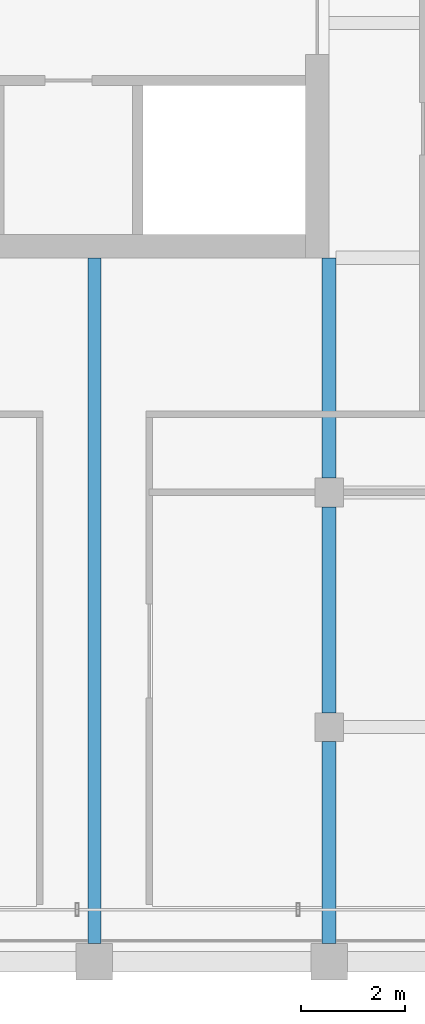
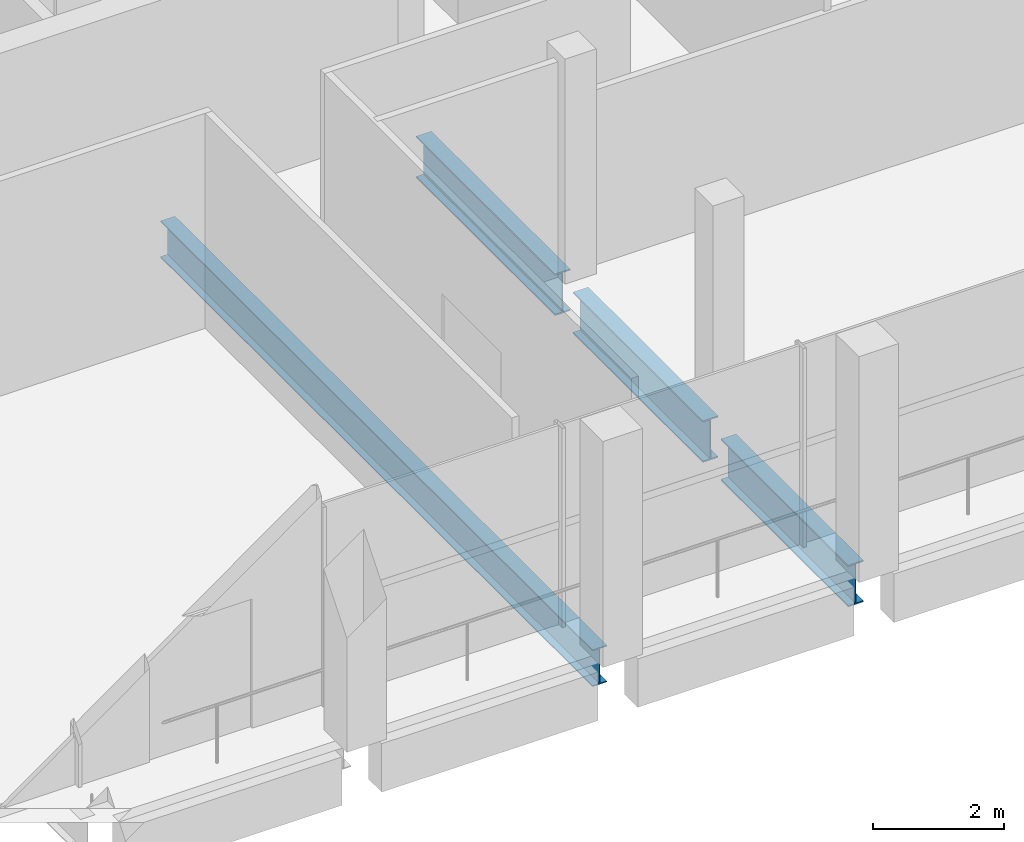
# One storey, part 6 of 17: 4 beams.
"""IFC4 building model written with IfcOpenShell, lengths in metres."""

import ifcopenshell
import ifcopenshell.guid

model = None  # the IFC model being written
_history = None  # IfcOwnerHistory: only IFC2X3 demands one
_inside = {}  # id of a spatial element -> (the spatial element, [elements in it])
_under = {}  # id of a project, library or spatial element -> (it, [spatial elements below it])
_declared = {}  # id of a project -> (the project, [libraries it declares])
_typed = {}  # id of a type object -> (the type object, [elements of that type])
_made_of = {}  # id of a material, layer set ... -> (it, [elements and type objects made of it])


def new_model(schema):
    """Start an empty IFC model of exactly this schema.

    Asked for "IFC4X3", IfcOpenShell would pick the latest addendum, in which some entities
    have other attributes; the version numbers below select the first issue.
    IFC2X3 requires an IfcOwnerHistory on every rooted entity: one is made here for all.
    """
    global model, _history
    if schema == "IFC4X3":
        model = ifcopenshell.file(schema_version=(4, 3, 0, 0))
    else:
        model = ifcopenshell.file(schema=schema)
    _inside.clear()
    _under.clear()
    _declared.clear()
    _typed.clear()
    _made_of.clear()
    _history = None
    if model.schema == "IFC2X3":
        org = make("IfcOrganization", Name="unknown")
        user = make(
            "IfcPersonAndOrganization",
            ThePerson=make("IfcPerson", FamilyName="unknown"),
            TheOrganization=org,
        )
        app = make(
            "IfcApplication",
            ApplicationDeveloper=org,
            Version="unknown",
            ApplicationFullName="unknown",
            ApplicationIdentifier="unknown",
        )
        _history = make(
            "IfcOwnerHistory",
            OwningUser=user,
            OwningApplication=app,
            ChangeAction="ADDED",
            CreationDate=0,
        )
    return model


def make(cls, **values):
    """One entity of the class cls with the attributes given. An attribute that is None is left unset."""
    return model.create_entity(
        cls, **{name: value for name, value in values.items() if value is not None}
    )


def rooted(cls, **values):
    """An entity with a GlobalId (a new one), such as an element, a storey or a relation."""
    return make(cls, GlobalId=ifcopenshell.guid.new(), OwnerHistory=_history, **values)


def si_unit(unit_type, name, prefix=None):
    """IfcSIUnit, for example si_unit("LENGTHUNIT", "METRE", prefix="MILLI")."""
    return make("IfcSIUnit", UnitType=unit_type, Prefix=prefix, Name=name)


def assignment(units):
    """IfcUnitAssignment: the units of a project."""
    return None if units is None else make("IfcUnitAssignment", Units=units)


def point(xyz):
    """IfcCartesianPoint."""
    return None if xyz is None else make("IfcCartesianPoint", Coordinates=xyz)


def direction(xyz):
    """IfcDirection."""
    return None if xyz is None else make("IfcDirection", DirectionRatios=xyz)


def frame(location, z_axis=None, x_axis=None):
    """IfcAxis2Placement3D, a coordinate frame: its origin and axes. An axis left out is left unset."""
    return make(
        "IfcAxis2Placement3D",
        Location=point(location),
        Axis=direction(z_axis),
        RefDirection=direction(x_axis),
    )


def frame_2d(location, x_axis=None):
    """IfcAxis2Placement2D, a coordinate frame in the plane: its origin and x axis."""
    return make(
        "IfcAxis2Placement2D", Location=point(location), RefDirection=direction(x_axis)
    )


def origin():
    """The frame at (0, 0, 0) with its axes left unset."""
    return frame((0.0, 0.0, 0.0))


def origin_2d():
    """The frame at (0, 0) in the plane with its x axis left unset."""
    return frame_2d((0.0, 0.0))


def place(relative_to, where):
    """IfcLocalPlacement: puts the frame where relative to a parent placement (None: the world)."""
    return make(
        "IfcLocalPlacement", PlacementRelTo=relative_to, RelativePlacement=where
    )


def context(
    kind, dimensions, precision=None, world=None, true_north=None, identifier=None
):
    """IfcGeometricRepresentationContext, for example the 3D "Model" context."""
    return make(
        "IfcGeometricRepresentationContext",
        ContextIdentifier=identifier,
        ContextType=kind,
        CoordinateSpaceDimension=dimensions,
        Precision=precision,
        WorldCoordinateSystem=world,
        TrueNorth=true_north,
    )


def subcontext(parent, identifier, kind, view, scale=None):
    """IfcGeometricRepresentationSubContext, for example "Body" below "Model"."""
    return make(
        "IfcGeometricRepresentationSubContext",
        ContextIdentifier=identifier,
        ContextType=kind,
        ParentContext=parent,
        TargetScale=scale,
        TargetView=view,
    )


def project(units=None, contexts=None):
    """IfcProject with its units and contexts."""
    return rooted(
        "IfcProject",
        Name="project",
        RepresentationContexts=contexts,
        UnitsInContext=assignment(units),
    )


def spatial(cls, under=None, at=None, **own):
    """A site, building, storey or space (cls), placed at a placement, below another one or the project."""
    s = rooted(cls, ObjectPlacement=at, **own)
    if under is not None:
        _under.setdefault(under.id(), (under, []))[1].append(s)
    return s


def profile(cls, at=None, kind="AREA", **sizes):
    """A parametric profile (cls). Its sizes go by their IFC names, for example OverallWidth=200.0."""
    return make(cls, ProfileType=kind, Position=at, **sizes)


def i_section(**sizes):
    """IfcIShapeProfileDef."""
    return profile("IfcIShapeProfileDef", **sizes)


def extrude(swept, where, along, depth):
    """IfcExtrudedAreaSolid: the profile swept, set in the frame where, extruded along a direction by depth."""
    return make(
        "IfcExtrudedAreaSolid",
        SweptArea=swept,
        Position=where,
        ExtrudedDirection=direction(along),
        Depth=depth,
    )


def shape(context_of_items, identifier, shape_type, items):
    """IfcShapeRepresentation: the items that make up one representation, for example the "Body"."""
    return make(
        "IfcShapeRepresentation",
        ContextOfItems=context_of_items,
        RepresentationIdentifier=identifier,
        RepresentationType=shape_type,
        Items=items,
    )


def material(Name=None, Category=None):
    """IfcMaterial."""
    return make("IfcMaterial", Name=Name, Category=Category)


def material_profile(
    of_material, cross_section, Name=None, Category=None, Priority=None
):
    """IfcMaterialProfile: a cross section and its material."""
    return make(
        "IfcMaterialProfile",
        Name=Name,
        Material=of_material,
        Profile=cross_section,
        Priority=Priority,
        Category=Category,
    )


def profile_set(profiles, Name=None, composite=None):
    """IfcMaterialProfileSet."""
    return make(
        "IfcMaterialProfileSet",
        Name=Name,
        MaterialProfiles=profiles,
        CompositeProfile=composite,
    )


def made_of(thing, what):
    """Note that an element or type object is made of a material, layer set ...; save() writes the relation."""
    if what is not None:
        _made_of.setdefault(what.id(), (what, []))[1].append(thing)
    return thing


def type_object(cls, material=None, **own):
    """A type object (cls), such as IfcWallType, which elements share."""
    return made_of(rooted(cls, **own), material)


def element(
    cls,
    number,
    at=None,
    inside=None,
    cuts=None,
    type_object=None,
    material=None,
    context=None,
    identifier="Body",
    shape_type=None,
    held_by="IfcProductDefinitionShape",
    body=None,
    shapes=None,
    **own,
):
    """One element of the class cls, such as IfcWall. Its Tag is "e" and its number.

    at: its placement. inside: the storey or other place that contains it. cuts: it is an
    opening in that element (IfcRelVoidsElement). A single representation is given by context,
    identifier, shape_type and body (its items); several are given by shapes. held_by: the class
    of the entity that holds the representations. save() writes the other relations.
    """
    e = rooted(cls, Tag="e%d" % number, ObjectPlacement=at, **own)
    if body is not None:
        shapes = [shape(context, identifier, shape_type, body)]
    if shapes is not None:
        e.Representation = make(held_by, Representations=shapes)
    if inside is not None:
        _inside.setdefault(inside.id(), (inside, []))[1].append(e)
    if cuts is not None:
        rooted(
            "IfcRelVoidsElement", RelatingBuildingElement=cuts, RelatedOpeningElement=e
        )
    if type_object is not None:
        _typed.setdefault(type_object.id(), (type_object, []))[1].append(e)
    return made_of(e, material)


def aggregate(whole, parts):
    """IfcRelAggregates: a whole, such as a stair, and the parts it consists of."""
    return rooted("IfcRelAggregates", RelatingObject=whole, RelatedObjects=parts)


def save(model, path):
    """Write the relations noted so far, then the file.

    IfcRelAggregates (storeys below a building ...), IfcRelContainedInSpatialStructure (elements
    in a storey), IfcRelDefinesByType, IfcRelAssociatesMaterial and IfcRelDeclares: one each for
    every whole, place, type object, material and project.
    """
    for whole, parts in _under.values():
        aggregate(whole, parts)
    for where, things in _inside.values():
        rooted(
            "IfcRelContainedInSpatialStructure",
            RelatedElements=things,
            RelatingStructure=where,
        )
    for kind, things in _typed.values():
        rooted("IfcRelDefinesByType", RelatedObjects=things, RelatingType=kind)
    for what, things in _made_of.values():
        rooted("IfcRelAssociatesMaterial", RelatedObjects=things, RelatingMaterial=what)
    for by, libraries in _declared.values():
        rooted("IfcRelDeclares", RelatingContext=by, RelatedDefinitions=libraries)
    model.write(path)


model = new_model("IFC4")

# Units and contexts
model_context = context("Model", 3, precision=1e-05, world=origin(), true_north=direction((0.0, 1.0)))
body_context = subcontext(model_context, "Body", "Model", "MODEL_VIEW")
ifc_project = project(units=[si_unit("LENGTHUNIT", "METRE"), si_unit("AREAUNIT", "SQUARE_METRE"), si_unit("VOLUMEUNIT", "CUBIC_METRE"), si_unit("PLANEANGLEUNIT", "RADIAN"), si_unit("MASSUNIT", "GRAM", prefix="KILO")], contexts=[model_context])

# Site, building, storey
site_placement = place(None, origin())
site = spatial("IfcSite", under=ifc_project, at=site_placement, CompositionType="ELEMENT")
building_placement = place(site_placement, origin())
building = spatial("IfcBuilding", under=site, at=building_placement, Name="Altepetl Exchange Towers", CompositionType="ELEMENT")
storey_placement = place(building_placement, frame((0.0, 0.0, 259.39990234375)))
storey = spatial("IfcBuildingStorey", under=building, at=storey_placement, Name="L66", CompositionType="ELEMENT", Elevation=259.39990234375)

# Beams
ifc_material = material(Name="Steel S355", Category="steel")
ifc_material_profile_1 = material_profile(ifc_material, i_section(OverallWidth=0.25390625, OverallDepth=0.68408203125, WebThickness=0.012451171875, FlangeThickness=0.018798828125, at=origin_2d()), Name="W27X94")
ifc_profile_set_1 = profile_set([ifc_material_profile_1], Name="Steel S355")
beam_type_1 = type_object("IfcBeamType", Name="Floor beam W27X94", PredefinedType="BEAM", material=ifc_profile_set_1)
beam_1_placement = place(storey_placement, frame((54.0, 27.35009765625, -0.516845703125), z_axis=(0.0, 1.0, 0.0), x_axis=(-1.0, 0.0, 0.0)))
element("IfcBeam", 1, at=beam_1_placement, inside=storey, type_object=beam_type_1, Name="bm:A:L66:017", PredefinedType="BEAM", context=body_context, shape_type="SweptSolid", body=[
    extrude(i_section(OverallWidth=0.25390625, OverallDepth=0.68408203125, WebThickness=0.012451171875, FlangeThickness=0.018798828125, at=origin_2d()), origin(), (0.0, 0.0, 1.0), 13.14990234375),
])
ifc_material_profile_2 = material_profile(ifc_material, i_section(OverallWidth=0.26806640625, OverallDepth=0.77392578125, WebThickness=0.015380859375, FlangeThickness=0.025390625, at=origin_2d()), Name="W30X132")
ifc_profile_set_2 = profile_set([ifc_material_profile_2], Name="Steel S355")
beam_type_2 = type_object("IfcBeamType", Name="Girder W30X132", PredefinedType="BEAM", material=ifc_profile_set_2)
beam_2_placement = place(storey_placement, frame((58.5, 40.5, -0.56201171875), z_axis=(0.0, -1.0, 0.0), x_axis=(1.0, 0.0, 0.0)))
element("IfcBeam", 2, at=beam_2_placement, inside=storey, type_object=beam_type_2, Name="gd:A:L66:003", PredefinedType="BEAM", context=body_context, shape_type="SweptSolid", body=[
    extrude(i_section(OverallWidth=0.26806640625, OverallDepth=0.77392578125, WebThickness=0.015380859375, FlangeThickness=0.025390625, at=origin_2d()), origin(), (0.0, 0.0, 1.0), 4.22509765625),
])
beam_3_placement = place(storey_placement, frame((58.5, 35.72509765625, -0.56201171875), z_axis=(0.0, -1.0, 0.0), x_axis=(1.0, 0.0, 0.0)))
element("IfcBeam", 3, at=beam_3_placement, inside=storey, type_object=beam_type_2, Name="gd:A:L66:004", PredefinedType="BEAM", context=body_context, shape_type="SweptSolid", body=[
    extrude(i_section(OverallWidth=0.26806640625, OverallDepth=0.77392578125, WebThickness=0.015380859375, FlangeThickness=0.025390625, at=origin_2d()), origin(), (0.0, 0.0, 1.0), 3.9501953125),
])
beam_4_placement = place(storey_placement, frame((58.5, 31.22509765625, -0.56201171875), z_axis=(0.0, -1.0, 0.0), x_axis=(1.0, 0.0, 0.0)))
element("IfcBeam", 4, at=beam_4_placement, inside=storey, type_object=beam_type_2, Name="gd:A:L66:005", PredefinedType="BEAM", context=body_context, shape_type="SweptSolid", body=[
    extrude(i_section(OverallWidth=0.26806640625, OverallDepth=0.77392578125, WebThickness=0.015380859375, FlangeThickness=0.025390625, at=origin_2d()), origin(), (0.0, 0.0, 1.0), 3.875),
])

save(model, "model.ifc")
